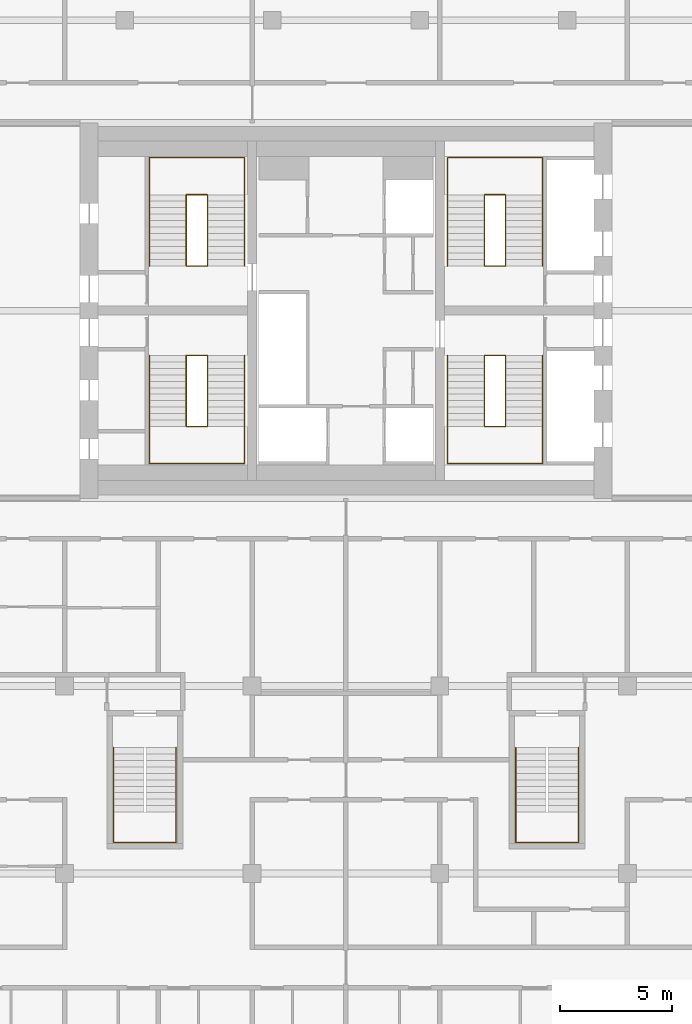
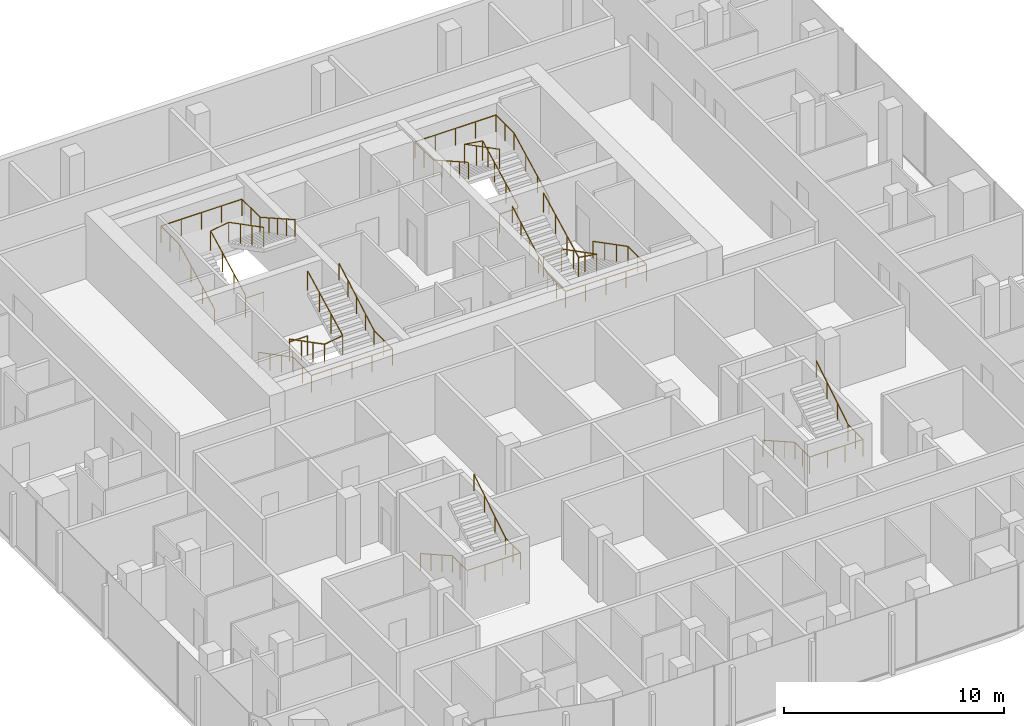
# One storey, part 22 of 22: 10 railings.
"""IFC4 building model written with IfcOpenShell, lengths in metres."""

from ifc_helpers import new_model, si_unit, direction, frame, origin, origin_2d, place, context, subcontext, project, spatial, circle, extrude, material, type_object, element, save


model = new_model("IFC4")

# Units and contexts
model_context = context("Model", 3, precision=1e-05, world=origin(), true_north=direction((0.0, 1.0)))
body_context = subcontext(model_context, "Body", "Model", "MODEL_VIEW")
ifc_project = project(units=[si_unit("LENGTHUNIT", "METRE"), si_unit("AREAUNIT", "SQUARE_METRE"), si_unit("VOLUMEUNIT", "CUBIC_METRE"), si_unit("PLANEANGLEUNIT", "RADIAN"), si_unit("MASSUNIT", "GRAM", prefix="KILO")], contexts=[model_context])

# Site, building, storey
site_placement = place(None, origin())
site = spatial("IfcSite", under=ifc_project, at=site_placement, CompositionType="ELEMENT")
building_placement = place(site_placement, origin())
building = spatial("IfcBuilding", under=site, at=building_placement, Name="Marenta Gate Hotel Tower", CompositionType="ELEMENT")
storey_placement = place(building_placement, frame((0.0, 0.0, 209.300048828125)))
storey = spatial("IfcBuildingStorey", under=building, at=storey_placement, Name="L48", CompositionType="ELEMENT", Elevation=209.300048828125)

# Railings
ifc_material_1 = material(Name="Stainless steel", Category="steel")
railing_type_1 = type_object("IfcRailingType", Name="Core stair handrail 950", PredefinedType="HANDRAIL", material=ifc_material_1)
railing_1_placement = place(storey_placement, frame((-8.800048828125, 6.39990234375, 0.14990234375)))
element("IfcRailing", 1, at=railing_1_placement, inside=storey, type_object=railing_type_1, Name="HR-950 L48-KR-ST1-1", PredefinedType="HANDRAIL", context=body_context, shape_type="SweptSolid", body=[
    extrude(circle(Radius=0.02392578125, at=origin_2d()), frame((0.0, 0.0, 0.92578125), z_axis=(0.0, -0.888197555067, 0.459461753765), x_axis=(1.0, 0.0, 0.0)), (0.0, 0.0, 1.0), 3.591552734375),
    extrude(circle(Radius=0.02392578125, at=origin_2d()), frame((0.0, -3.18994140625, 2.576171875), z_axis=(0.0, -1.0, 0.0), x_axis=(1.0, 0.0, 0.0)), (0.0, 0.0, 1.0), 1.659912109375),
    extrude(circle(Radius=0.02392578125, at=origin_2d()), frame((0.0, -4.849853515625, 2.576171875), z_axis=(1.0, 0.0, 0.0), x_axis=(0.0, 1.0, 0.0)), (0.0, 0.0, 1.0), 4.25),
    extrude(circle(Radius=0.02392578125, at=origin_2d()), frame((4.25, -4.849853515625, 2.576171875), z_axis=(0.0, 1.0, 0.0), x_axis=(-1.0, 0.0, 0.0)), (0.0, 0.0, 1.0), 1.659912109375),
    extrude(circle(Radius=0.02392578125, at=origin_2d()), frame((4.25, -3.18994140625, 2.576171875), z_axis=(0.0, 0.870937506535, 0.491393792911), x_axis=(-1.0, 0.0, 0.0)), (0.0, 0.0, 1.0), 3.66259765625),
    extrude(circle(Radius=0.02099609375, at=origin_2d()), origin(), (0.0, 0.0, 1.0), 0.90185546875),
    extrude(circle(Radius=0.02099609375, at=origin_2d()), frame((0.0, -1.063232421875, 0.550048828125)), (0.0, 0.0, 1.0), 0.90185546875),
    extrude(circle(Radius=0.02099609375, at=origin_2d()), frame((0.0, -2.126708984375, 1.10009765625)), (0.0, 0.0, 1.0), 0.90185546875),
    extrude(circle(Radius=0.02099609375, at=origin_2d()), frame((0.0, -3.18994140625, 1.650146484375)), (0.0, 0.0, 1.0), 0.90185546875),
    extrude(circle(Radius=0.02099609375, at=origin_2d()), frame((0.0, -4.02001953125, 1.650146484375)), (0.0, 0.0, 1.0), 0.90185546875),
    extrude(circle(Radius=0.02099609375, at=origin_2d()), frame((0.0, -4.849853515625, 1.650146484375)), (0.0, 0.0, 1.0), 0.90185546875),
    extrude(circle(Radius=0.02099609375, at=origin_2d()), frame((1.0625, -4.849853515625, 1.650146484375)), (0.0, 0.0, 1.0), 0.90185546875),
    extrude(circle(Radius=0.02099609375, at=origin_2d()), frame((2.125, -4.849853515625, 1.650146484375)), (0.0, 0.0, 1.0), 0.90185546875),
    extrude(circle(Radius=0.02099609375, at=origin_2d()), frame((3.1875, -4.849853515625, 1.650146484375)), (0.0, 0.0, 1.0), 0.90185546875),
    extrude(circle(Radius=0.02099609375, at=origin_2d()), frame((4.25, -4.849853515625, 1.650146484375)), (0.0, 0.0, 1.0), 0.90185546875),
    extrude(circle(Radius=0.02099609375, at=origin_2d()), frame((4.25, -4.02001953125, 1.650146484375)), (0.0, 0.0, 1.0), 0.90185546875),
    extrude(circle(Radius=0.02099609375, at=origin_2d()), frame((4.25, -3.18994140625, 1.650146484375)), (0.0, 0.0, 1.0), 0.90185546875),
    extrude(circle(Radius=0.02099609375, at=origin_2d()), frame((4.25, -2.392578125, 2.10009765625)), (0.0, 0.0, 1.0), 0.90185546875),
    extrude(circle(Radius=0.02099609375, at=origin_2d()), frame((4.25, -1.594970703125, 2.550048828125)), (0.0, 0.0, 1.0), 0.90185546875),
    extrude(circle(Radius=0.02099609375, at=origin_2d()), frame((4.25, -0.79736328125, 3.0)), (0.0, 0.0, 1.0), 0.90185546875),
    extrude(circle(Radius=0.02099609375, at=origin_2d()), frame((4.25, 0.0, 3.449951171875)), (0.0, 0.0, 1.0), 0.90185546875),
])
railing_2_placement = place(storey_placement, frame((-8.800048828125, 10.39990234375, 0.14990234375)))
element("IfcRailing", 2, at=railing_2_placement, inside=storey, type_object=railing_type_1, Name="HR-950 L48-KR-ST2-1", PredefinedType="HANDRAIL", context=body_context, shape_type="SweptSolid", body=[
    extrude(circle(Radius=0.02392578125, at=origin_2d()), frame((0.0, 0.0, 0.92578125), z_axis=(0.0, 0.888211904222, 0.459434013977), x_axis=(-1.0, 0.0, 0.0)), (0.0, 0.0, 1.0), 3.591796875),
    extrude(circle(Radius=0.02392578125, at=origin_2d()), frame((0.0, 3.190185546875, 2.576171875), z_axis=(0.0, 1.0, 0.0), x_axis=(-1.0, 0.0, 0.0)), (0.0, 0.0, 1.0), 1.659912109375),
    extrude(circle(Radius=0.02392578125, at=origin_2d()), frame((0.0, 4.85009765625, 2.576171875), z_axis=(1.0, 0.0, 0.0), x_axis=(0.0, 1.0, 0.0)), (0.0, 0.0, 1.0), 4.25),
    extrude(circle(Radius=0.02392578125, at=origin_2d()), frame((4.25, 4.85009765625, 2.576171875), z_axis=(0.0, -1.0, 0.0), x_axis=(1.0, 0.0, 0.0)), (0.0, 0.0, 1.0), 1.659912109375),
    extrude(circle(Radius=0.02392578125, at=origin_2d()), frame((4.25, 3.190185546875, 2.576171875), z_axis=(0.0, -0.870953600603, 0.491365266982), x_axis=(1.0, 0.0, 0.0)), (0.0, 0.0, 1.0), 3.662841796875),
    extrude(circle(Radius=0.02099609375, at=origin_2d()), origin(), (0.0, 0.0, 1.0), 0.90185546875),
    extrude(circle(Radius=0.02099609375, at=origin_2d()), frame((0.0, 1.0634765625, 0.550048828125)), (0.0, 0.0, 1.0), 0.90185546875),
    extrude(circle(Radius=0.02099609375, at=origin_2d()), frame((0.0, 2.126708984375, 1.10009765625)), (0.0, 0.0, 1.0), 0.90185546875),
    extrude(circle(Radius=0.02099609375, at=origin_2d()), frame((0.0, 3.190185546875, 1.650146484375)), (0.0, 0.0, 1.0), 0.90185546875),
    extrude(circle(Radius=0.02099609375, at=origin_2d()), frame((0.0, 4.02001953125, 1.650146484375)), (0.0, 0.0, 1.0), 0.90185546875),
    extrude(circle(Radius=0.02099609375, at=origin_2d()), frame((0.0, 4.85009765625, 1.650146484375)), (0.0, 0.0, 1.0), 0.90185546875),
    extrude(circle(Radius=0.02099609375, at=origin_2d()), frame((1.0625, 4.85009765625, 1.650146484375)), (0.0, 0.0, 1.0), 0.90185546875),
    extrude(circle(Radius=0.02099609375, at=origin_2d()), frame((2.125, 4.85009765625, 1.650146484375)), (0.0, 0.0, 1.0), 0.90185546875),
    extrude(circle(Radius=0.02099609375, at=origin_2d()), frame((3.1875, 4.85009765625, 1.650146484375)), (0.0, 0.0, 1.0), 0.90185546875),
    extrude(circle(Radius=0.02099609375, at=origin_2d()), frame((4.25, 4.85009765625, 1.650146484375)), (0.0, 0.0, 1.0), 0.90185546875),
    extrude(circle(Radius=0.02099609375, at=origin_2d()), frame((4.25, 4.02001953125, 1.650146484375)), (0.0, 0.0, 1.0), 0.90185546875),
    extrude(circle(Radius=0.02099609375, at=origin_2d()), frame((4.25, 3.190185546875, 1.650146484375)), (0.0, 0.0, 1.0), 0.90185546875),
    extrude(circle(Radius=0.02099609375, at=origin_2d()), frame((4.25, 2.392578125, 2.10009765625)), (0.0, 0.0, 1.0), 0.90185546875),
    extrude(circle(Radius=0.02099609375, at=origin_2d()), frame((4.25, 1.59521484375, 2.550048828125)), (0.0, 0.0, 1.0), 0.90185546875),
    extrude(circle(Radius=0.02099609375, at=origin_2d()), frame((4.25, 0.797607421875, 3.0)), (0.0, 0.0, 1.0), 0.90185546875),
    extrude(circle(Radius=0.02099609375, at=origin_2d()), frame((4.25, 0.0, 3.449951171875)), (0.0, 0.0, 1.0), 0.90185546875),
])
railing_3_placement = place(storey_placement, frame((8.800048828125, 6.39990234375, 0.14990234375)))
element("IfcRailing", 3, at=railing_3_placement, inside=storey, type_object=railing_type_1, Name="HR-950 L48-KR-ST3-1", PredefinedType="HANDRAIL", context=body_context, shape_type="SweptSolid", body=[
    extrude(circle(Radius=0.02392578125, at=origin_2d()), frame((0.0, 0.0, 0.92578125), z_axis=(0.0, -0.888197555067, 0.459461753765), x_axis=(1.0, 0.0, 0.0)), (0.0, 0.0, 1.0), 3.591552734375),
    extrude(circle(Radius=0.02392578125, at=origin_2d()), frame((0.0, -3.18994140625, 2.576171875), z_axis=(0.0, -1.0, 0.0), x_axis=(1.0, 0.0, 0.0)), (0.0, 0.0, 1.0), 1.659912109375),
    extrude(circle(Radius=0.02392578125, at=origin_2d()), frame((0.0, -4.849853515625, 2.576171875), z_axis=(-1.0, 0.0, 0.0), x_axis=(0.0, -1.0, 0.0)), (0.0, 0.0, 1.0), 4.25),
    extrude(circle(Radius=0.02392578125, at=origin_2d()), frame((-4.25, -4.849853515625, 2.576171875), z_axis=(0.0, 1.0, 0.0), x_axis=(-1.0, 0.0, 0.0)), (0.0, 0.0, 1.0), 1.659912109375),
    extrude(circle(Radius=0.02392578125, at=origin_2d()), frame((-4.25, -3.18994140625, 2.576171875), z_axis=(0.0, 0.870937506535, 0.491393792911), x_axis=(-1.0, 0.0, 0.0)), (0.0, 0.0, 1.0), 3.66259765625),
    extrude(circle(Radius=0.02099609375, at=origin_2d()), origin(), (0.0, 0.0, 1.0), 0.90185546875),
    extrude(circle(Radius=0.02099609375, at=origin_2d()), frame((0.0, -1.063232421875, 0.550048828125)), (0.0, 0.0, 1.0), 0.90185546875),
    extrude(circle(Radius=0.02099609375, at=origin_2d()), frame((0.0, -2.126708984375, 1.10009765625)), (0.0, 0.0, 1.0), 0.90185546875),
    extrude(circle(Radius=0.02099609375, at=origin_2d()), frame((0.0, -3.18994140625, 1.650146484375)), (0.0, 0.0, 1.0), 0.90185546875),
    extrude(circle(Radius=0.02099609375, at=origin_2d()), frame((0.0, -4.02001953125, 1.650146484375)), (0.0, 0.0, 1.0), 0.90185546875),
    extrude(circle(Radius=0.02099609375, at=origin_2d()), frame((0.0, -4.849853515625, 1.650146484375)), (0.0, 0.0, 1.0), 0.90185546875),
    extrude(circle(Radius=0.02099609375, at=origin_2d()), frame((-1.0625, -4.849853515625, 1.650146484375)), (0.0, 0.0, 1.0), 0.90185546875),
    extrude(circle(Radius=0.02099609375, at=origin_2d()), frame((-2.125, -4.849853515625, 1.650146484375)), (0.0, 0.0, 1.0), 0.90185546875),
    extrude(circle(Radius=0.02099609375, at=origin_2d()), frame((-3.1875, -4.849853515625, 1.650146484375)), (0.0, 0.0, 1.0), 0.90185546875),
    extrude(circle(Radius=0.02099609375, at=origin_2d()), frame((-4.25, -4.849853515625, 1.650146484375)), (0.0, 0.0, 1.0), 0.90185546875),
    extrude(circle(Radius=0.02099609375, at=origin_2d()), frame((-4.25, -4.02001953125, 1.650146484375)), (0.0, 0.0, 1.0), 0.90185546875),
    extrude(circle(Radius=0.02099609375, at=origin_2d()), frame((-4.25, -3.18994140625, 1.650146484375)), (0.0, 0.0, 1.0), 0.90185546875),
    extrude(circle(Radius=0.02099609375, at=origin_2d()), frame((-4.25, -2.392578125, 2.10009765625)), (0.0, 0.0, 1.0), 0.90185546875),
    extrude(circle(Radius=0.02099609375, at=origin_2d()), frame((-4.25, -1.594970703125, 2.550048828125)), (0.0, 0.0, 1.0), 0.90185546875),
    extrude(circle(Radius=0.02099609375, at=origin_2d()), frame((-4.25, -0.79736328125, 3.0)), (0.0, 0.0, 1.0), 0.90185546875),
    extrude(circle(Radius=0.02099609375, at=origin_2d()), frame((-4.25, 0.0, 3.449951171875)), (0.0, 0.0, 1.0), 0.90185546875),
])
railing_4_placement = place(storey_placement, frame((8.800048828125, 10.39990234375, 0.14990234375)))
element("IfcRailing", 4, at=railing_4_placement, inside=storey, type_object=railing_type_1, Name="HR-950 L48-KR-ST4-1", PredefinedType="HANDRAIL", context=body_context, shape_type="SweptSolid", body=[
    extrude(circle(Radius=0.02392578125, at=origin_2d()), frame((0.0, 0.0, 0.92578125), z_axis=(0.0, 0.888211904222, 0.459434013977), x_axis=(-1.0, 0.0, 0.0)), (0.0, 0.0, 1.0), 3.591796875),
    extrude(circle(Radius=0.02392578125, at=origin_2d()), frame((0.0, 3.190185546875, 2.576171875), z_axis=(0.0, 1.0, 0.0), x_axis=(-1.0, 0.0, 0.0)), (0.0, 0.0, 1.0), 1.659912109375),
    extrude(circle(Radius=0.02392578125, at=origin_2d()), frame((0.0, 4.85009765625, 2.576171875), z_axis=(-1.0, 0.0, 0.0), x_axis=(0.0, -1.0, 0.0)), (0.0, 0.0, 1.0), 4.25),
    extrude(circle(Radius=0.02392578125, at=origin_2d()), frame((-4.25, 4.85009765625, 2.576171875), z_axis=(0.0, -1.0, 0.0), x_axis=(1.0, 0.0, 0.0)), (0.0, 0.0, 1.0), 1.659912109375),
    extrude(circle(Radius=0.02392578125, at=origin_2d()), frame((-4.25, 3.190185546875, 2.576171875), z_axis=(0.0, -0.870953600603, 0.491365266982), x_axis=(1.0, 0.0, 0.0)), (0.0, 0.0, 1.0), 3.662841796875),
    extrude(circle(Radius=0.02099609375, at=origin_2d()), origin(), (0.0, 0.0, 1.0), 0.90185546875),
    extrude(circle(Radius=0.02099609375, at=origin_2d()), frame((0.0, 1.0634765625, 0.550048828125)), (0.0, 0.0, 1.0), 0.90185546875),
    extrude(circle(Radius=0.02099609375, at=origin_2d()), frame((0.0, 2.126708984375, 1.10009765625)), (0.0, 0.0, 1.0), 0.90185546875),
    extrude(circle(Radius=0.02099609375, at=origin_2d()), frame((0.0, 3.190185546875, 1.650146484375)), (0.0, 0.0, 1.0), 0.90185546875),
    extrude(circle(Radius=0.02099609375, at=origin_2d()), frame((0.0, 4.02001953125, 1.650146484375)), (0.0, 0.0, 1.0), 0.90185546875),
    extrude(circle(Radius=0.02099609375, at=origin_2d()), frame((0.0, 4.85009765625, 1.650146484375)), (0.0, 0.0, 1.0), 0.90185546875),
    extrude(circle(Radius=0.02099609375, at=origin_2d()), frame((-1.0625, 4.85009765625, 1.650146484375)), (0.0, 0.0, 1.0), 0.90185546875),
    extrude(circle(Radius=0.02099609375, at=origin_2d()), frame((-2.125, 4.85009765625, 1.650146484375)), (0.0, 0.0, 1.0), 0.90185546875),
    extrude(circle(Radius=0.02099609375, at=origin_2d()), frame((-3.1875, 4.85009765625, 1.650146484375)), (0.0, 0.0, 1.0), 0.90185546875),
    extrude(circle(Radius=0.02099609375, at=origin_2d()), frame((-4.25, 4.85009765625, 1.650146484375)), (0.0, 0.0, 1.0), 0.90185546875),
    extrude(circle(Radius=0.02099609375, at=origin_2d()), frame((-4.25, 4.02001953125, 1.650146484375)), (0.0, 0.0, 1.0), 0.90185546875),
    extrude(circle(Radius=0.02099609375, at=origin_2d()), frame((-4.25, 3.190185546875, 1.650146484375)), (0.0, 0.0, 1.0), 0.90185546875),
    extrude(circle(Radius=0.02099609375, at=origin_2d()), frame((-4.25, 2.392578125, 2.10009765625)), (0.0, 0.0, 1.0), 0.90185546875),
    extrude(circle(Radius=0.02099609375, at=origin_2d()), frame((-4.25, 1.59521484375, 2.550048828125)), (0.0, 0.0, 1.0), 0.90185546875),
    extrude(circle(Radius=0.02099609375, at=origin_2d()), frame((-4.25, 0.797607421875, 3.0)), (0.0, 0.0, 1.0), 0.90185546875),
    extrude(circle(Radius=0.02099609375, at=origin_2d()), frame((-4.25, 0.0, 3.449951171875)), (0.0, 0.0, 1.0), 0.90185546875),
])
railing_5_placement = place(storey_placement, frame((-10.39990234375, -11.14990234375, 0.16357421875)))
element("IfcRailing", 5, at=railing_5_placement, inside=storey, type_object=railing_type_1, Name="HR-950 L48-RS-Z3-1-KR-1", PredefinedType="HANDRAIL", context=body_context, shape_type="SweptSolid", body=[
    extrude(circle(Radius=0.02392578125, at=origin_2d()), frame((0.0, 0.0, 0.92578125), z_axis=(0.0, -0.870914908162, 0.491433843708), x_axis=(1.0, 0.0, 0.0)), (0.0, 0.0, 1.0), 3.330078125),
    extrude(circle(Radius=0.02392578125, at=origin_2d()), frame((0.0, -2.900146484375, 2.5625), z_axis=(0.0, -1.0, 0.0), x_axis=(1.0, 0.0, 0.0)), (0.0, 0.0, 1.0), 1.349853515625),
    extrude(circle(Radius=0.02392578125, at=origin_2d()), frame((0.0, -4.25, 2.5625), z_axis=(1.0, 0.0, 0.0), x_axis=(0.0, 1.0, 0.0)), (0.0, 0.0, 1.0), 2.7998046875),
    extrude(circle(Radius=0.02392578125, at=origin_2d()), frame((2.7998046875, -4.25, 2.5625), z_axis=(0.0, 1.0, 0.0), x_axis=(-1.0, 0.0, 0.0)), (0.0, 0.0, 1.0), 1.349853515625),
    extrude(circle(Radius=0.02392578125, at=origin_2d()), frame((2.7998046875, -2.900146484375, 2.5625), z_axis=(0.0, 0.849677739116, 0.527302322819), x_axis=(-1.0, 0.0, 0.0)), (0.0, 0.0, 1.0), 3.413330078125),
    extrude(circle(Radius=0.02099609375, at=origin_2d()), origin(), (0.0, 0.0, 1.0), 0.90185546875),
    extrude(circle(Radius=0.02099609375, at=origin_2d()), frame((0.0, -0.966796875, 0.54541015625)), (0.0, 0.0, 1.0), 0.90185546875),
    extrude(circle(Radius=0.02099609375, at=origin_2d()), frame((0.0, -1.933349609375, 1.091064453125)), (0.0, 0.0, 1.0), 0.90185546875),
    extrude(circle(Radius=0.02099609375, at=origin_2d()), frame((0.0, -2.900146484375, 1.636474609375)), (0.0, 0.0, 1.0), 0.90185546875),
    extrude(circle(Radius=0.02099609375, at=origin_2d()), frame((0.0, -3.5751953125, 1.636474609375)), (0.0, 0.0, 1.0), 0.90185546875),
    extrude(circle(Radius=0.02099609375, at=origin_2d()), frame((0.0, -4.25, 1.636474609375)), (0.0, 0.0, 1.0), 0.90185546875),
    extrude(circle(Radius=0.02099609375, at=origin_2d()), frame((0.933349609375, -4.25, 1.636474609375)), (0.0, 0.0, 1.0), 0.90185546875),
    extrude(circle(Radius=0.02099609375, at=origin_2d()), frame((1.866455078125, -4.25, 1.636474609375)), (0.0, 0.0, 1.0), 0.90185546875),
    extrude(circle(Radius=0.02099609375, at=origin_2d()), frame((2.7998046875, -4.25, 1.636474609375)), (0.0, 0.0, 1.0), 0.90185546875),
    extrude(circle(Radius=0.02099609375, at=origin_2d()), frame((2.7998046875, -3.5751953125, 1.636474609375)), (0.0, 0.0, 1.0), 0.90185546875),
    extrude(circle(Radius=0.02099609375, at=origin_2d()), frame((2.7998046875, -2.900146484375, 1.636474609375)), (0.0, 0.0, 1.0), 0.90185546875),
    extrude(circle(Radius=0.02099609375, at=origin_2d()), frame((2.7998046875, -1.933349609375, 2.236328125)), (0.0, 0.0, 1.0), 0.90185546875),
    extrude(circle(Radius=0.02099609375, at=origin_2d()), frame((2.7998046875, -0.966796875, 2.83642578125)), (0.0, 0.0, 1.0), 0.90185546875),
    extrude(circle(Radius=0.02099609375, at=origin_2d()), frame((2.7998046875, 0.0, 3.436279296875)), (0.0, 0.0, 1.0), 0.90185546875),
])
railing_6_placement = place(storey_placement, frame((7.60009765625, -11.14990234375, 0.16357421875)))
element("IfcRailing", 6, at=railing_6_placement, inside=storey, type_object=railing_type_1, Name="HR-950 L48-RS-Z3-2-KR-1", PredefinedType="HANDRAIL", context=body_context, shape_type="SweptSolid", body=[
    extrude(circle(Radius=0.02392578125, at=origin_2d()), frame((0.0, 0.0, 0.92578125), z_axis=(0.0, -0.870914908162, 0.491433843708), x_axis=(1.0, 0.0, 0.0)), (0.0, 0.0, 1.0), 3.330078125),
    extrude(circle(Radius=0.02392578125, at=origin_2d()), frame((0.0, -2.900146484375, 2.5625), z_axis=(0.0, -1.0, 0.0), x_axis=(1.0, 0.0, 0.0)), (0.0, 0.0, 1.0), 1.349853515625),
    extrude(circle(Radius=0.02392578125, at=origin_2d()), frame((0.0, -4.25, 2.5625), z_axis=(1.0, 0.0, 0.0), x_axis=(0.0, 1.0, 0.0)), (0.0, 0.0, 1.0), 2.7998046875),
    extrude(circle(Radius=0.02392578125, at=origin_2d()), frame((2.7998046875, -4.25, 2.5625), z_axis=(0.0, 1.0, 0.0), x_axis=(-1.0, 0.0, 0.0)), (0.0, 0.0, 1.0), 1.349853515625),
    extrude(circle(Radius=0.02392578125, at=origin_2d()), frame((2.7998046875, -2.900146484375, 2.5625), z_axis=(0.0, 0.849677739116, 0.527302322819), x_axis=(-1.0, 0.0, 0.0)), (0.0, 0.0, 1.0), 3.413330078125),
    extrude(circle(Radius=0.02099609375, at=origin_2d()), origin(), (0.0, 0.0, 1.0), 0.90185546875),
    extrude(circle(Radius=0.02099609375, at=origin_2d()), frame((0.0, -0.966796875, 0.54541015625)), (0.0, 0.0, 1.0), 0.90185546875),
    extrude(circle(Radius=0.02099609375, at=origin_2d()), frame((0.0, -1.933349609375, 1.091064453125)), (0.0, 0.0, 1.0), 0.90185546875),
    extrude(circle(Radius=0.02099609375, at=origin_2d()), frame((0.0, -2.900146484375, 1.636474609375)), (0.0, 0.0, 1.0), 0.90185546875),
    extrude(circle(Radius=0.02099609375, at=origin_2d()), frame((0.0, -3.5751953125, 1.636474609375)), (0.0, 0.0, 1.0), 0.90185546875),
    extrude(circle(Radius=0.02099609375, at=origin_2d()), frame((0.0, -4.25, 1.636474609375)), (0.0, 0.0, 1.0), 0.90185546875),
    extrude(circle(Radius=0.02099609375, at=origin_2d()), frame((0.933349609375, -4.25, 1.636474609375)), (0.0, 0.0, 1.0), 0.90185546875),
    extrude(circle(Radius=0.02099609375, at=origin_2d()), frame((1.866455078125, -4.25, 1.636474609375)), (0.0, 0.0, 1.0), 0.90185546875),
    extrude(circle(Radius=0.02099609375, at=origin_2d()), frame((2.7998046875, -4.25, 1.636474609375)), (0.0, 0.0, 1.0), 0.90185546875),
    extrude(circle(Radius=0.02099609375, at=origin_2d()), frame((2.7998046875, -3.5751953125, 1.636474609375)), (0.0, 0.0, 1.0), 0.90185546875),
    extrude(circle(Radius=0.02099609375, at=origin_2d()), frame((2.7998046875, -2.900146484375, 1.636474609375)), (0.0, 0.0, 1.0), 0.90185546875),
    extrude(circle(Radius=0.02099609375, at=origin_2d()), frame((2.7998046875, -1.933349609375, 2.236328125)), (0.0, 0.0, 1.0), 0.90185546875),
    extrude(circle(Radius=0.02099609375, at=origin_2d()), frame((2.7998046875, -0.966796875, 2.83642578125)), (0.0, 0.0, 1.0), 0.90185546875),
    extrude(circle(Radius=0.02099609375, at=origin_2d()), frame((2.7998046875, 0.0, 3.436279296875)), (0.0, 0.0, 1.0), 0.90185546875),
])
ifc_material_2 = material(Name="Stainless steel", Category="steel")
railing_type_2 = type_object("IfcRailingType", Name="Core stair well guard 1100", PredefinedType="GUARDRAIL", material=ifc_material_2)
railing_7_placement = place(storey_placement, frame((-6.199951171875, 6.39990234375, 0.0)))
element("IfcRailing", 7, at=railing_7_placement, inside=storey, type_object=railing_type_2, Name="GR-1100 L48-KR-ST1-2", PredefinedType="GUARDRAIL", context=body_context, shape_type="SweptSolid", body=[
    extrude(circle(Radius=0.02392578125, at=origin_2d()), frame((0.0, 0.0, 1.076171875), z_axis=(-1.0, 0.0, 0.0), x_axis=(0.0, -1.0, 0.0)), (0.0, 0.0, 1.0), 0.949951171875),
    extrude(circle(Radius=0.02392578125, at=origin_2d()), frame((-0.949951171875, 0.0, 1.076171875), z_axis=(0.0, 0.0, 1.0), x_axis=(1.0, 0.0, 0.0)), (0.0, 0.0, 1.0), 0.14990234375),
    extrude(circle(Radius=0.02392578125, at=origin_2d()), frame((-0.949951171875, 0.0, 1.22607421875), z_axis=(0.0, -0.888197555067, 0.459461753765), x_axis=(1.0, 0.0, 0.0)), (0.0, 0.0, 1.0), 3.591552734375),
    extrude(circle(Radius=0.02392578125, at=origin_2d()), frame((-0.949951171875, -3.18994140625, 2.8759765625), z_axis=(0.987777369502, 0.0, 0.15587131968), x_axis=(0.0, 1.0, 0.0)), (0.0, 0.0, 1.0), 0.961669921875),
    extrude(circle(Radius=0.02392578125, at=origin_2d()), frame((0.0, -3.18994140625, 3.02587890625), z_axis=(0.0, 0.888225295554, 0.459408123936), x_axis=(-1.0, 0.0, 0.0)), (0.0, 0.0, 1.0), 3.59130859375),
    extrude(circle(Radius=0.02099609375, at=origin_2d()), origin(), (0.0, 0.0, 1.0), 1.052001953125),
    extrude(circle(Radius=0.02099609375, at=origin_2d()), frame((-0.949951171875, 0.0, 0.0)), (0.0, 0.0, 1.0), 1.052001953125),
    extrude(circle(Radius=0.02099609375, at=origin_2d()), frame((-0.949951171875, 0.0, 0.14990234375)), (0.0, 0.0, 1.0), 1.052001953125),
    extrude(circle(Radius=0.02099609375, at=origin_2d()), frame((-0.949951171875, -1.063232421875, 0.699951171875)), (0.0, 0.0, 1.0), 1.052001953125),
    extrude(circle(Radius=0.02099609375, at=origin_2d()), frame((-0.949951171875, -2.126708984375, 1.25)), (0.0, 0.0, 1.0), 1.052001953125),
    extrude(circle(Radius=0.02099609375, at=origin_2d()), frame((-0.949951171875, -3.18994140625, 1.800048828125)), (0.0, 0.0, 1.0), 1.052001953125),
    extrude(circle(Radius=0.02099609375, at=origin_2d()), frame((0.0, -3.18994140625, 1.949951171875)), (0.0, 0.0, 1.0), 1.052001953125),
    extrude(circle(Radius=0.02099609375, at=origin_2d()), frame((0.0, -2.126708984375, 2.5)), (0.0, 0.0, 1.0), 1.052001953125),
    extrude(circle(Radius=0.02099609375, at=origin_2d()), frame((0.0, -1.063232421875, 3.0498046875)), (0.0, 0.0, 1.0), 1.052001953125),
    extrude(circle(Radius=0.02099609375, at=origin_2d()), frame((0.0, 0.0, 3.599853515625)), (0.0, 0.0, 1.0), 1.052001953125),
])
railing_8_placement = place(storey_placement, frame((-6.199951171875, 10.39990234375, 0.0)))
element("IfcRailing", 8, at=railing_8_placement, inside=storey, type_object=railing_type_2, Name="GR-1100 L48-KR-ST2-2", PredefinedType="GUARDRAIL", context=body_context, shape_type="SweptSolid", body=[
    extrude(circle(Radius=0.02392578125, at=origin_2d()), frame((0.0, 0.0, 1.076171875), z_axis=(-1.0, 0.0, 0.0), x_axis=(0.0, -1.0, 0.0)), (0.0, 0.0, 1.0), 0.949951171875),
    extrude(circle(Radius=0.02392578125, at=origin_2d()), frame((-0.949951171875, 0.0, 1.076171875), z_axis=(0.0, 0.0, 1.0), x_axis=(1.0, 0.0, 0.0)), (0.0, 0.0, 1.0), 0.14990234375),
    extrude(circle(Radius=0.02392578125, at=origin_2d()), frame((-0.949951171875, 0.0, 1.22607421875), z_axis=(0.0, 0.888211904222, 0.459434013977), x_axis=(-1.0, 0.0, 0.0)), (0.0, 0.0, 1.0), 3.591796875),
    extrude(circle(Radius=0.02392578125, at=origin_2d()), frame((-0.949951171875, 3.190185546875, 2.8759765625), z_axis=(0.987777369502, 0.0, 0.15587131968), x_axis=(0.0, 1.0, 0.0)), (0.0, 0.0, 1.0), 0.961669921875),
    extrude(circle(Radius=0.02392578125, at=origin_2d()), frame((0.0, 3.190185546875, 3.02587890625), z_axis=(0.0, -0.888239641807, 0.459380385653), x_axis=(1.0, 0.0, 0.0)), (0.0, 0.0, 1.0), 3.591552734375),
    extrude(circle(Radius=0.02099609375, at=origin_2d()), origin(), (0.0, 0.0, 1.0), 1.052001953125),
    extrude(circle(Radius=0.02099609375, at=origin_2d()), frame((-0.949951171875, 0.0, 0.0)), (0.0, 0.0, 1.0), 1.052001953125),
    extrude(circle(Radius=0.02099609375, at=origin_2d()), frame((-0.949951171875, 0.0, 0.14990234375)), (0.0, 0.0, 1.0), 1.052001953125),
    extrude(circle(Radius=0.02099609375, at=origin_2d()), frame((-0.949951171875, 1.0634765625, 0.699951171875)), (0.0, 0.0, 1.0), 1.052001953125),
    extrude(circle(Radius=0.02099609375, at=origin_2d()), frame((-0.949951171875, 2.126708984375, 1.25)), (0.0, 0.0, 1.0), 1.052001953125),
    extrude(circle(Radius=0.02099609375, at=origin_2d()), frame((-0.949951171875, 3.190185546875, 1.800048828125)), (0.0, 0.0, 1.0), 1.052001953125),
    extrude(circle(Radius=0.02099609375, at=origin_2d()), frame((0.0, 3.190185546875, 1.949951171875)), (0.0, 0.0, 1.0), 1.052001953125),
    extrude(circle(Radius=0.02099609375, at=origin_2d()), frame((0.0, 2.126708984375, 2.5)), (0.0, 0.0, 1.0), 1.052001953125),
    extrude(circle(Radius=0.02099609375, at=origin_2d()), frame((0.0, 1.0634765625, 3.0498046875)), (0.0, 0.0, 1.0), 1.052001953125),
    extrude(circle(Radius=0.02099609375, at=origin_2d()), frame((0.0, 0.0, 3.599853515625)), (0.0, 0.0, 1.0), 1.052001953125),
])
railing_9_placement = place(storey_placement, frame((6.199951171875, 6.39990234375, 0.0)))
element("IfcRailing", 9, at=railing_9_placement, inside=storey, type_object=railing_type_2, Name="GR-1100 L48-KR-ST3-2", PredefinedType="GUARDRAIL", context=body_context, shape_type="SweptSolid", body=[
    extrude(circle(Radius=0.02392578125, at=origin_2d()), frame((0.0, 0.0, 1.076171875), z_axis=(1.0, 0.0, 0.0), x_axis=(0.0, 1.0, 0.0)), (0.0, 0.0, 1.0), 0.949951171875),
    extrude(circle(Radius=0.02392578125, at=origin_2d()), frame((0.949951171875, 0.0, 1.076171875), z_axis=(0.0, 0.0, 1.0), x_axis=(1.0, 0.0, 0.0)), (0.0, 0.0, 1.0), 0.14990234375),
    extrude(circle(Radius=0.02392578125, at=origin_2d()), frame((0.949951171875, 0.0, 1.22607421875), z_axis=(0.0, -0.888197555067, 0.459461753765), x_axis=(1.0, 0.0, 0.0)), (0.0, 0.0, 1.0), 3.591552734375),
    extrude(circle(Radius=0.02392578125, at=origin_2d()), frame((0.949951171875, -3.18994140625, 2.8759765625), z_axis=(-0.987777369502, 0.0, 0.15587131968), x_axis=(0.0, -1.0, 0.0)), (0.0, 0.0, 1.0), 0.961669921875),
    extrude(circle(Radius=0.02392578125, at=origin_2d()), frame((0.0, -3.18994140625, 3.02587890625), z_axis=(0.0, 0.888225295554, 0.459408123936), x_axis=(-1.0, 0.0, 0.0)), (0.0, 0.0, 1.0), 3.59130859375),
    extrude(circle(Radius=0.02099609375, at=origin_2d()), origin(), (0.0, 0.0, 1.0), 1.052001953125),
    extrude(circle(Radius=0.02099609375, at=origin_2d()), frame((0.949951171875, 0.0, 0.0)), (0.0, 0.0, 1.0), 1.052001953125),
    extrude(circle(Radius=0.02099609375, at=origin_2d()), frame((0.949951171875, 0.0, 0.14990234375)), (0.0, 0.0, 1.0), 1.052001953125),
    extrude(circle(Radius=0.02099609375, at=origin_2d()), frame((0.949951171875, -1.063232421875, 0.699951171875)), (0.0, 0.0, 1.0), 1.052001953125),
    extrude(circle(Radius=0.02099609375, at=origin_2d()), frame((0.949951171875, -2.126708984375, 1.25)), (0.0, 0.0, 1.0), 1.052001953125),
    extrude(circle(Radius=0.02099609375, at=origin_2d()), frame((0.949951171875, -3.18994140625, 1.800048828125)), (0.0, 0.0, 1.0), 1.052001953125),
    extrude(circle(Radius=0.02099609375, at=origin_2d()), frame((0.0, -3.18994140625, 1.949951171875)), (0.0, 0.0, 1.0), 1.052001953125),
    extrude(circle(Radius=0.02099609375, at=origin_2d()), frame((0.0, -2.126708984375, 2.5)), (0.0, 0.0, 1.0), 1.052001953125),
    extrude(circle(Radius=0.02099609375, at=origin_2d()), frame((0.0, -1.063232421875, 3.0498046875)), (0.0, 0.0, 1.0), 1.052001953125),
    extrude(circle(Radius=0.02099609375, at=origin_2d()), frame((0.0, 0.0, 3.599853515625)), (0.0, 0.0, 1.0), 1.052001953125),
])
railing_10_placement = place(storey_placement, frame((6.199951171875, 10.39990234375, 0.0)))
element("IfcRailing", 10, at=railing_10_placement, inside=storey, type_object=railing_type_2, Name="GR-1100 L48-KR-ST4-2", PredefinedType="GUARDRAIL", context=body_context, shape_type="SweptSolid", body=[
    extrude(circle(Radius=0.02392578125, at=origin_2d()), frame((0.0, 0.0, 1.076171875), z_axis=(1.0, 0.0, 0.0), x_axis=(0.0, 1.0, 0.0)), (0.0, 0.0, 1.0), 0.949951171875),
    extrude(circle(Radius=0.02392578125, at=origin_2d()), frame((0.949951171875, 0.0, 1.076171875), z_axis=(0.0, 0.0, 1.0), x_axis=(1.0, 0.0, 0.0)), (0.0, 0.0, 1.0), 0.14990234375),
    extrude(circle(Radius=0.02392578125, at=origin_2d()), frame((0.949951171875, 0.0, 1.22607421875), z_axis=(0.0, 0.888211904222, 0.459434013977), x_axis=(-1.0, 0.0, 0.0)), (0.0, 0.0, 1.0), 3.591796875),
    extrude(circle(Radius=0.02392578125, at=origin_2d()), frame((0.949951171875, 3.190185546875, 2.8759765625), z_axis=(-0.987777369502, 0.0, 0.15587131968), x_axis=(0.0, -1.0, 0.0)), (0.0, 0.0, 1.0), 0.961669921875),
    extrude(circle(Radius=0.02392578125, at=origin_2d()), frame((0.0, 3.190185546875, 3.02587890625), z_axis=(0.0, -0.888239641807, 0.459380385653), x_axis=(1.0, 0.0, 0.0)), (0.0, 0.0, 1.0), 3.591552734375),
    extrude(circle(Radius=0.02099609375, at=origin_2d()), origin(), (0.0, 0.0, 1.0), 1.052001953125),
    extrude(circle(Radius=0.02099609375, at=origin_2d()), frame((0.949951171875, 0.0, 0.0)), (0.0, 0.0, 1.0), 1.052001953125),
    extrude(circle(Radius=0.02099609375, at=origin_2d()), frame((0.949951171875, 0.0, 0.14990234375)), (0.0, 0.0, 1.0), 1.052001953125),
    extrude(circle(Radius=0.02099609375, at=origin_2d()), frame((0.949951171875, 1.0634765625, 0.699951171875)), (0.0, 0.0, 1.0), 1.052001953125),
    extrude(circle(Radius=0.02099609375, at=origin_2d()), frame((0.949951171875, 2.126708984375, 1.25)), (0.0, 0.0, 1.0), 1.052001953125),
    extrude(circle(Radius=0.02099609375, at=origin_2d()), frame((0.949951171875, 3.190185546875, 1.800048828125)), (0.0, 0.0, 1.0), 1.052001953125),
    extrude(circle(Radius=0.02099609375, at=origin_2d()), frame((0.0, 3.190185546875, 1.949951171875)), (0.0, 0.0, 1.0), 1.052001953125),
    extrude(circle(Radius=0.02099609375, at=origin_2d()), frame((0.0, 2.126708984375, 2.5)), (0.0, 0.0, 1.0), 1.052001953125),
    extrude(circle(Radius=0.02099609375, at=origin_2d()), frame((0.0, 1.0634765625, 3.0498046875)), (0.0, 0.0, 1.0), 1.052001953125),
    extrude(circle(Radius=0.02099609375, at=origin_2d()), frame((0.0, 0.0, 3.599853515625)), (0.0, 0.0, 1.0), 1.052001953125),
])

save(model, "model.ifc")
